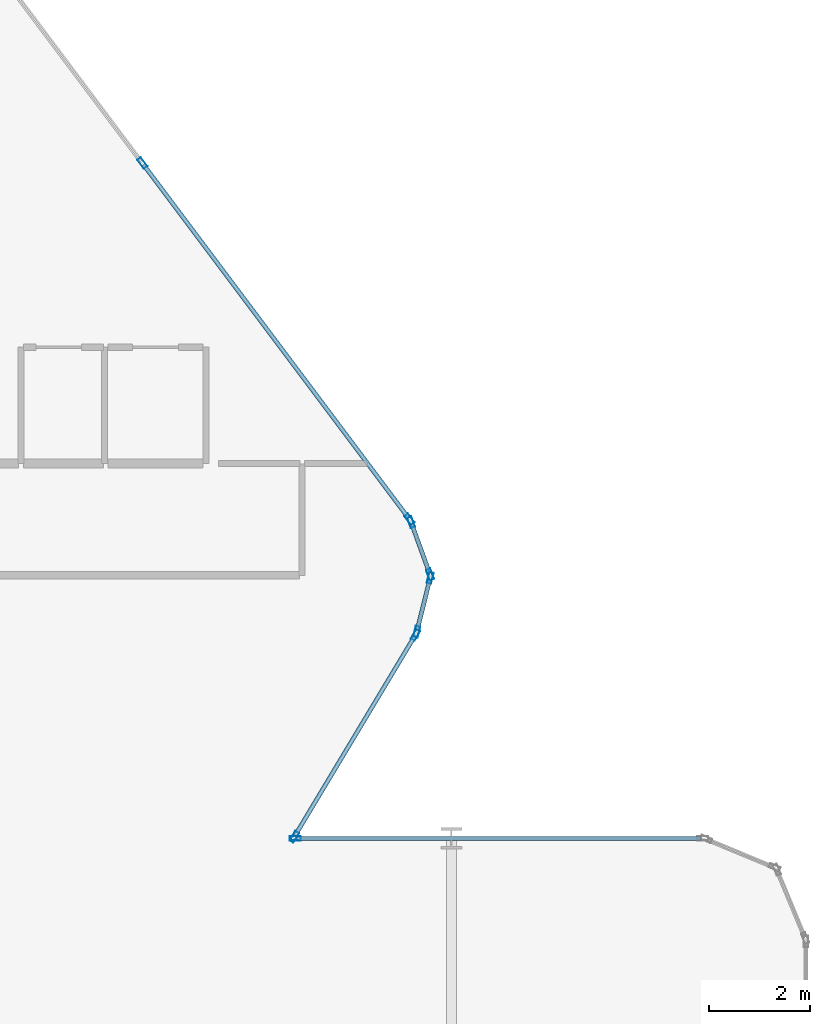
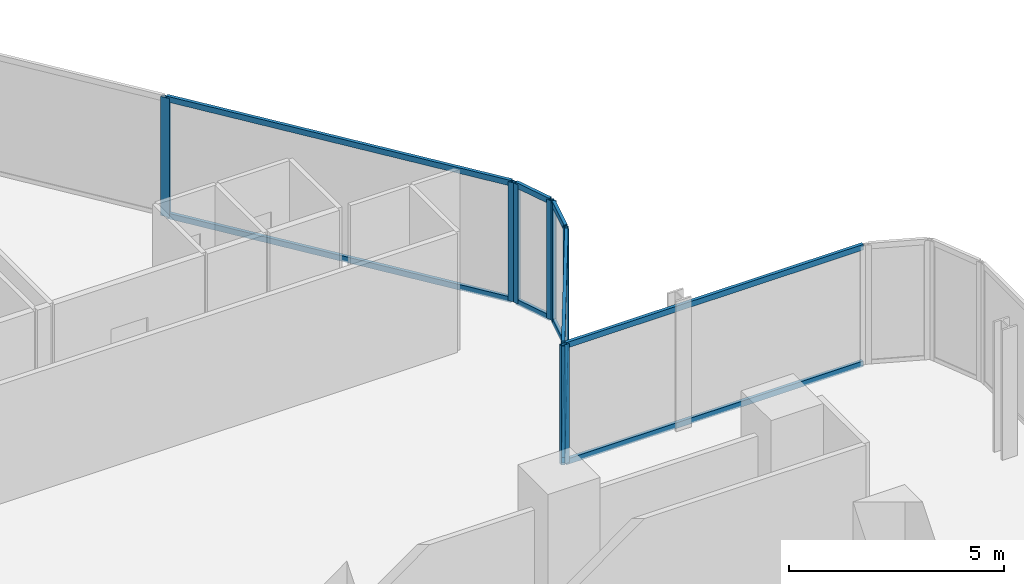
# One storey, part 15 of 33: 19 members, 5 elements without a shape of their own.
"""IFC4 building model written with IfcOpenShell, lengths in metres."""

from ifc_helpers import new_model, si_unit, direction, frame, origin, origin_2d, place, context, subcontext, project, spatial, hollow_rectangle, extrude, material, layer, layer_set, material_profile, profile_set, type_object, element, aggregate, save


model = new_model("IFC4")

# Units and contexts
model_context = context("Model", 3, precision=1e-05, world=origin(), true_north=direction((0.0, 1.0)))
body_context = subcontext(model_context, "Body", "Model", "MODEL_VIEW")
ifc_project = project(units=[si_unit("LENGTHUNIT", "METRE"), si_unit("AREAUNIT", "SQUARE_METRE"), si_unit("VOLUMEUNIT", "CUBIC_METRE"), si_unit("PLANEANGLEUNIT", "RADIAN"), si_unit("MASSUNIT", "GRAM", prefix="KILO")], contexts=[model_context])

# Site, building, storey
site_placement = place(None, origin())
site = spatial("IfcSite", under=ifc_project, at=site_placement, CompositionType="ELEMENT")
building_placement = place(site_placement, origin())
building = spatial("IfcBuilding", under=site, at=building_placement, Name="Keshet Zoharim Tower", CompositionType="ELEMENT")
storey_placement = place(building_placement, frame((0.0, 0.0, 27.699951171875)))
storey = spatial("IfcBuildingStorey", under=building, at=storey_placement, Name="L05", CompositionType="ELEMENT", Elevation=27.699951171875)

# Curtain wall, members
ifc_material = material(Name="Aluminium 6063-T6", Category="aluminium")
ifc_layer_1 = layer(ifc_material, 0.169921875)
ifc_layer_set_1 = layer_set([ifc_layer_1], Name="Aluminium 6063-T6")
curtain_wall_type_1 = type_object("IfcCurtainWallType", Name="CW-SYS-02", PredefinedType="NOTDEFINED", material=ifc_layer_set_1)
curtain_wall_1_placement = place(storey_placement, origin())
curtain_wall_1 = element("IfcCurtainWall", 1, at=curtain_wall_1_placement, inside=storey, type_object=curtain_wall_type_1, Name="L05 Unitised Curtain Wall 09", PredefinedType="NOTDEFINED")
ifc_material_profile_1 = material_profile(ifc_material, hollow_rectangle(XDim=0.090087890625, YDim=0.219970703125, WallThickness=0.0048828125, at=origin_2d()), Name="MUL-90x220")
ifc_profile_set_1 = profile_set([ifc_material_profile_1], Name="Aluminium 6063-T6")
member_type_1 = type_object("IfcMemberType", Name="CWM-M22", PredefinedType="MULLION", material=ifc_profile_set_1)
member_1_placement = place(storey_placement, frame((56.896484375, 46.0380859375, 0.0), z_axis=(0.0, 0.0, 1.0), x_axis=(0.799999999998, 0.600000000002, 0.0)))
member_1 = element("IfcMember", 2, at=member_1_placement, type_object=member_type_1, Name="CW-02 mullion 2", PredefinedType="MULLION", context=body_context, shape_type="SweptSolid", body=[
    extrude(hollow_rectangle(XDim=0.090087890625, YDim=0.219970703125, WallThickness=0.0048828125, at=origin_2d()), origin(), (0.0, 0.0, 1.0), 3.385009765625),
])
member_2_placement = place(storey_placement, frame((62.172119140625, 39.00390625, 0.0), z_axis=(0.0, 0.0, 1.0), x_axis=(0.799999999998, 0.600000000002, 0.0)))
member_2 = element("IfcMember", 3, at=member_2_placement, type_object=member_type_1, Name="CW-02 mullion 3", PredefinedType="MULLION", context=body_context, shape_type="SweptSolid", body=[
    extrude(hollow_rectangle(XDim=0.090087890625, YDim=0.219970703125, WallThickness=0.0048828125, at=origin_2d()), origin(), (0.0, 0.0, 1.0), 3.385009765625),
])

curtain_wall_2_placement = place(storey_placement, origin())
curtain_wall_2 = element("IfcCurtainWall", 4, at=curtain_wall_2_placement, inside=storey, type_object=curtain_wall_type_1, Name="L05 Unitised Curtain Wall 10", PredefinedType="NOTDEFINED")
member_3_placement = place(storey_placement, frame((62.204833984375, 38.943115234375, 0.0), z_axis=(0.0, 0.0, 1.0), x_axis=(0.940317877544, 0.340297354046, 0.0)))
member_3 = element("IfcMember", 5, at=member_3_placement, type_object=member_type_1, Name="CW-02 mullion 1", PredefinedType="MULLION", context=body_context, shape_type="SweptSolid", body=[
    extrude(hollow_rectangle(XDim=0.090087890625, YDim=0.219970703125, WallThickness=0.0048828125, at=origin_2d()), origin(), (0.0, 0.0, 1.0), 3.385009765625),
])
member_4_placement = place(storey_placement, frame((62.578125, 37.911865234375, 0.0), z_axis=(0.0, 0.0, 1.0), x_axis=(0.940317877544, 0.340297354046, 0.0)))
member_4 = element("IfcMember", 6, at=member_4_placement, type_object=member_type_1, Name="CW-02 mullion 2", PredefinedType="MULLION", context=body_context, shape_type="SweptSolid", body=[
    extrude(hollow_rectangle(XDim=0.090087890625, YDim=0.219970703125, WallThickness=0.0048828125, at=origin_2d()), origin(), (0.0, 0.0, 1.0), 3.385009765625),
])

curtain_wall_3_placement = place(storey_placement, origin())
curtain_wall_3 = element("IfcCurtainWall", 7, at=curtain_wall_3_placement, inside=storey, type_object=curtain_wall_type_1, Name="L05 Unitised Curtain Wall 11", PredefinedType="NOTDEFINED")
member_5_placement = place(storey_placement, frame((62.58154296875, 37.844970703125, 0.0), z_axis=(0.0, 0.0, 1.0), x_axis=(0.970343857447, -0.241728770141, 0.0)))
member_5 = element("IfcMember", 8, at=member_5_placement, type_object=member_type_1, Name="CW-02 mullion 1", PredefinedType="MULLION", context=body_context, shape_type="SweptSolid", body=[
    extrude(hollow_rectangle(XDim=0.090087890625, YDim=0.219970703125, WallThickness=0.0048828125, at=origin_2d()), origin(), (0.0, 0.0, 1.0), 3.385009765625),
])
member_6_placement = place(storey_placement, frame((62.31640625, 36.781005859375, 0.0), z_axis=(0.0, 0.0, 1.0), x_axis=(0.970343857447, -0.241728770141, 0.0)))
member_6 = element("IfcMember", 9, at=member_6_placement, type_object=member_type_1, Name="CW-02 mullion 2", PredefinedType="MULLION", context=body_context, shape_type="SweptSolid", body=[
    extrude(hollow_rectangle(XDim=0.090087890625, YDim=0.219970703125, WallThickness=0.0048828125, at=origin_2d()), origin(), (0.0, 0.0, 1.0), 3.385009765625),
])

ifc_layer_2 = layer(ifc_material, 0.179931640625)
ifc_layer_set_2 = layer_set([ifc_layer_2], Name="Aluminium 6063-T6")
curtain_wall_type_2 = type_object("IfcCurtainWallType", Name="CW-SYS-01", PredefinedType="NOTDEFINED", material=ifc_layer_set_2)
curtain_wall_4_placement = place(storey_placement, origin())
curtain_wall_4 = element("IfcCurtainWall", 10, at=curtain_wall_4_placement, inside=storey, type_object=curtain_wall_type_2, Name="L05 Unitised Curtain Wall 12", PredefinedType="NOTDEFINED")
member_7_placement = place(storey_placement, frame((62.2900390625, 36.717041015625, 0.0), z_axis=(0.0, 0.0, 1.0), x_axis=(0.857511621163, -0.51446459506, 0.0)))
member_7 = element("IfcMember", 11, at=member_7_placement, type_object=member_type_1, Name="CW-01 mullion 1", PredefinedType="MULLION", context=body_context, shape_type="SweptSolid", body=[
    extrude(hollow_rectangle(XDim=0.090087890625, YDim=0.219970703125, WallThickness=0.0048828125, at=origin_2d()), origin(), (0.0, 0.0, 1.0), 3.385009765625),
])
member_8_placement = place(storey_placement, frame((59.89794921875, 32.72998046875, 0.0), z_axis=(0.0, 0.0, 1.0), x_axis=(0.857511621163, -0.51446459506, 0.0)))
member_8 = element("IfcMember", 12, at=member_8_placement, type_object=member_type_1, Name="CW-01 mullion 2", PredefinedType="MULLION", context=body_context, shape_type="SweptSolid", body=[
    extrude(hollow_rectangle(XDim=0.090087890625, YDim=0.219970703125, WallThickness=0.0048828125, at=origin_2d()), origin(), (0.0, 0.0, 1.0), 3.385009765625),
])

# Curtain wall, member
curtain_wall_5_placement = place(storey_placement, origin())
curtain_wall_5 = element("IfcCurtainWall", 13, at=curtain_wall_5_placement, inside=storey, type_object=curtain_wall_type_1, Name="L05 Unitised Curtain Wall 13", PredefinedType="NOTDEFINED")
member_9_placement = place(storey_placement, frame((59.9150390625, 32.699951171875, 0.0), z_axis=(0.0, 0.0, 1.0), x_axis=(0.0, 1.0, 0.0)))
member_9 = element("IfcMember", 14, at=member_9_placement, type_object=member_type_1, Name="CW-02 mullion 1", PredefinedType="MULLION", context=body_context, shape_type="SweptSolid", body=[
    extrude(hollow_rectangle(XDim=0.090087890625, YDim=0.219970703125, WallThickness=0.0048828125, at=origin_2d()), origin(), (0.0, 0.0, 1.0), 3.385009765625),
])

# Member
ifc_material_profile_2 = material_profile(ifc_material, hollow_rectangle(XDim=0.0849609375, YDim=0.159912109375, WallThickness=0.00439453125, at=origin_2d()), Name="TRN-85x160")
ifc_profile_set_2 = profile_set([ifc_material_profile_2], Name="Aluminium 6063-T6")
member_type_2 = type_object("IfcMemberType", Name="CWT-T16", PredefinedType="USERDEFINED", material=ifc_profile_set_2)
member_10_placement = place(storey_placement, frame((56.91748046875, 46.010009765625, 0.03515625), z_axis=(0.599991043201, -0.800006717521, 0.0), x_axis=(0.800006717521, 0.599991043201, 0.0)))
member_10 = element("IfcMember", 15, at=member_10_placement, type_object=member_type_2, Name="CW-02 transom 2.1", ObjectType="TRANSOM", PredefinedType="USERDEFINED", context=body_context, shape_type="SweptSolid", body=[
    extrude(hollow_rectangle(XDim=0.0849609375, YDim=0.159912109375, WallThickness=0.00439453125, at=origin_2d()), origin(), (0.0, 0.0, 1.0), 8.722412109375),
])

member_11_placement = place(storey_placement, frame((56.91748046875, 46.010009765625, 3.35009765625), z_axis=(0.599991043201, -0.800006717521, 0.0), x_axis=(0.800006717521, 0.599991043201, 0.0)))
member_11 = element("IfcMember", 16, at=member_11_placement, type_object=member_type_2, Name="CW-02 transom 2.2", ObjectType="TRANSOM", PredefinedType="USERDEFINED", context=body_context, shape_type="SweptSolid", body=[
    extrude(hollow_rectangle(XDim=0.0849609375, YDim=0.159912109375, WallThickness=0.00439453125, at=origin_2d()), origin(), (0.0, 0.0, 1.0), 8.722412109375),
])

aggregate(curtain_wall_1, [member_1, member_2, member_10, member_11])

member_12_placement = place(storey_placement, frame((62.216796875, 38.91015625, 0.03515625), z_axis=(0.340310579984, -0.940313091024, 0.0), x_axis=(0.940313091024, 0.340310579984, 0.0)))
member_12 = element("IfcMember", 17, at=member_12_placement, type_object=member_type_2, Name="CW-02 transom 1.1", ObjectType="TRANSOM", PredefinedType="USERDEFINED", context=body_context, shape_type="SweptSolid", body=[
    extrude(hollow_rectangle(XDim=0.0849609375, YDim=0.159912109375, WallThickness=0.00439453125, at=origin_2d()), origin(), (0.0, 0.0, 1.0), 1.026611328125),
])

member_13_placement = place(storey_placement, frame((62.216796875, 38.91015625, 3.35009765625), z_axis=(0.340310579984, -0.940313091024, 0.0), x_axis=(0.940313091024, 0.340310579984, 0.0)))
member_13 = element("IfcMember", 18, at=member_13_placement, type_object=member_type_2, Name="CW-02 transom 1.2", ObjectType="TRANSOM", PredefinedType="USERDEFINED", context=body_context, shape_type="SweptSolid", body=[
    extrude(hollow_rectangle(XDim=0.0849609375, YDim=0.159912109375, WallThickness=0.00439453125, at=origin_2d()), origin(), (0.0, 0.0, 1.0), 1.026611328125),
])

aggregate(curtain_wall_2, [member_3, member_4, member_12, member_13])

member_14_placement = place(storey_placement, frame((62.572998046875, 37.81103515625, 0.03515625), z_axis=(-0.241640143717, -0.970365931463, 0.0), x_axis=(0.970365931463, -0.241640143717, 0.0)))
member_14 = element("IfcMember", 19, at=member_14_placement, type_object=member_type_2, Name="CW-02 transom 1.1", ObjectType="TRANSOM", PredefinedType="USERDEFINED", context=body_context, shape_type="SweptSolid", body=[
    extrude(hollow_rectangle(XDim=0.0849609375, YDim=0.159912109375, WallThickness=0.00439453125, at=origin_2d()), origin(), (0.0, 0.0, 1.0), 1.026611328125),
])

member_15_placement = place(storey_placement, frame((62.572998046875, 37.81103515625, 3.35009765625), z_axis=(-0.241640143717, -0.970365931463, 0.0), x_axis=(0.970365931463, -0.241640143717, 0.0)))
member_15 = element("IfcMember", 20, at=member_15_placement, type_object=member_type_2, Name="CW-02 transom 1.2", ObjectType="TRANSOM", PredefinedType="USERDEFINED", context=body_context, shape_type="SweptSolid", body=[
    extrude(hollow_rectangle(XDim=0.0849609375, YDim=0.159912109375, WallThickness=0.00439453125, at=origin_2d()), origin(), (0.0, 0.0, 1.0), 1.026611328125),
])

aggregate(curtain_wall_3, [member_5, member_6, member_14, member_15])

member_16_placement = place(storey_placement, frame((62.27197265625, 36.68701171875, 0.03515625), z_axis=(-0.514456555213, -0.857516444622, 0.0), x_axis=(0.857516444622, -0.514456555213, 0.0)))
member_16 = element("IfcMember", 21, at=member_16_placement, type_object=member_type_2, Name="CW-01 transom 1.1", ObjectType="TRANSOM", PredefinedType="USERDEFINED", context=body_context, shape_type="SweptSolid", body=[
    extrude(hollow_rectangle(XDim=0.0849609375, YDim=0.159912109375, WallThickness=0.00439453125, at=origin_2d()), origin(), (0.0, 0.0, 1.0), 4.57958984375),
])

member_17_placement = place(storey_placement, frame((62.27197265625, 36.68701171875, 3.35009765625), z_axis=(-0.514456555213, -0.857516444622, 0.0), x_axis=(0.857516444622, -0.514456555213, 0.0)))
member_17 = element("IfcMember", 22, at=member_17_placement, type_object=member_type_2, Name="CW-01 transom 1.2", ObjectType="TRANSOM", PredefinedType="USERDEFINED", context=body_context, shape_type="SweptSolid", body=[
    extrude(hollow_rectangle(XDim=0.0849609375, YDim=0.159912109375, WallThickness=0.00439453125, at=origin_2d()), origin(), (0.0, 0.0, 1.0), 4.57958984375),
])

aggregate(curtain_wall_4, [member_7, member_8, member_16, member_17])

member_18_placement = place(storey_placement, frame((59.949951171875, 32.699951171875, 0.03515625), z_axis=(1.0, 0.0, 0.0), x_axis=(0.0, 1.0, 0.0)))
member_18 = element("IfcMember", 23, at=member_18_placement, type_object=member_type_2, Name="CW-02 transom 1.1", ObjectType="TRANSOM", PredefinedType="USERDEFINED", context=body_context, shape_type="SweptSolid", body=[
    extrude(hollow_rectangle(XDim=0.0849609375, YDim=0.159912109375, WallThickness=0.00439453125, at=origin_2d()), origin(), (0.0, 0.0, 1.0), 7.97998046875),
])

member_19_placement = place(storey_placement, frame((59.949951171875, 32.699951171875, 3.35009765625), z_axis=(1.0, 0.0, 0.0), x_axis=(0.0, 1.0, 0.0)))
member_19 = element("IfcMember", 24, at=member_19_placement, type_object=member_type_2, Name="CW-02 transom 1.2", ObjectType="TRANSOM", PredefinedType="USERDEFINED", context=body_context, shape_type="SweptSolid", body=[
    extrude(hollow_rectangle(XDim=0.0849609375, YDim=0.159912109375, WallThickness=0.00439453125, at=origin_2d()), origin(), (0.0, 0.0, 1.0), 7.97998046875),
])

aggregate(curtain_wall_5, [member_9, member_18, member_19])

save(model, "model.ifc")
